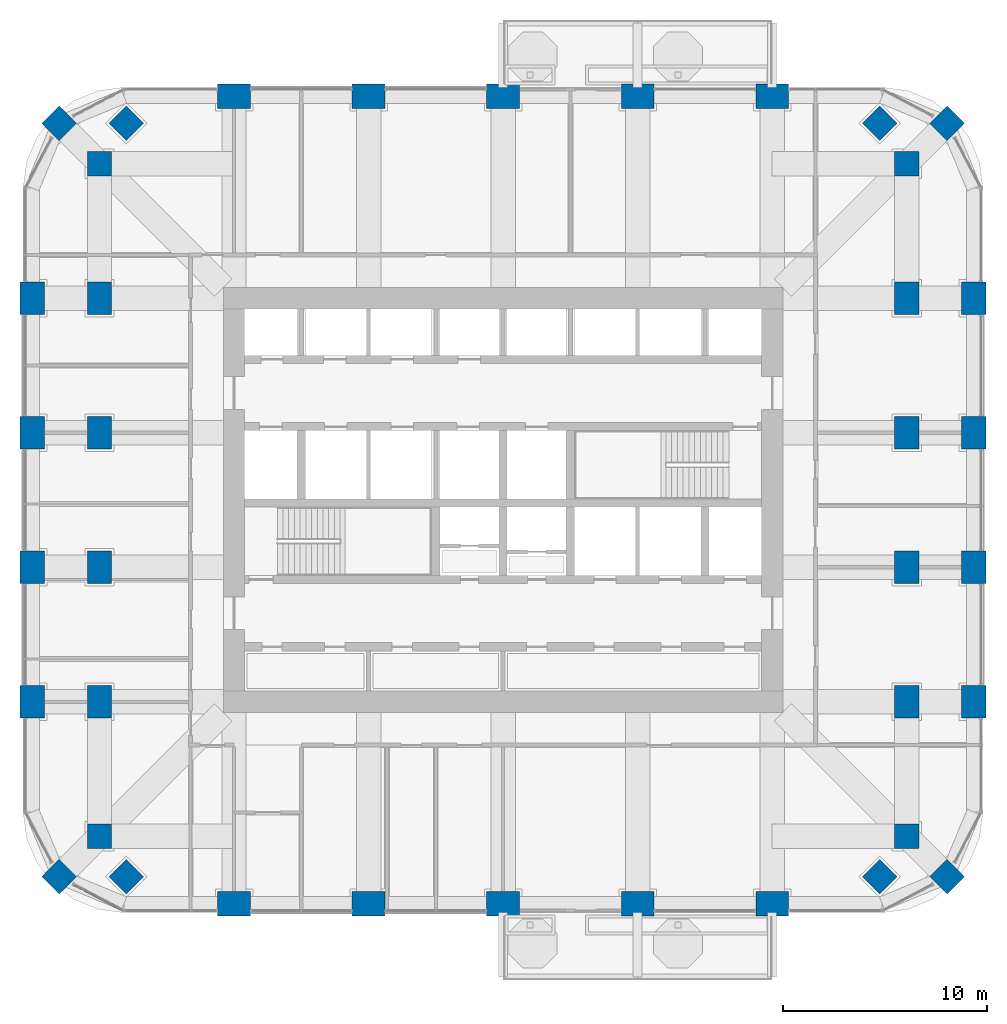
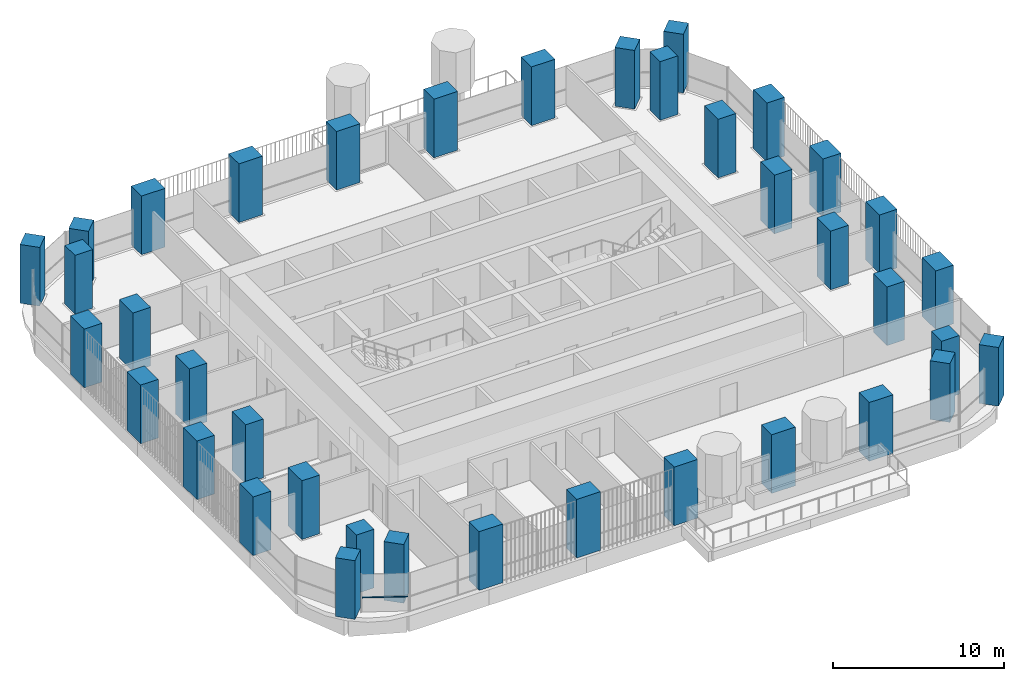
# One storey, part 1 of 19: 38 columns, 1 member, 1 element without a shape of its own.
"""IFC4 building model written with IfcOpenShell, lengths in metres."""

from ifc_helpers import new_model, si_unit, direction, frame, origin, origin_2d, place, context, subcontext, project, spatial, rectangle, extrude, material, material_profile, profile_set, type_object, element, aggregate, save


model = new_model("IFC4")

# Units and contexts
model_context = context("Model", 3, precision=1e-05, world=origin(), true_north=direction((0.0, 1.0)))
body_context = subcontext(model_context, "Body", "Model", "MODEL_VIEW")
ifc_project = project(units=[si_unit("LENGTHUNIT", "METRE"), si_unit("AREAUNIT", "SQUARE_METRE"), si_unit("VOLUMEUNIT", "CUBIC_METRE"), si_unit("PLANEANGLEUNIT", "RADIAN"), si_unit("MASSUNIT", "GRAM", prefix="KILO")], contexts=[model_context])

# Site, building, storey
site_placement = place(None, origin())
site = spatial("IfcSite", under=ifc_project, at=site_placement, CompositionType="ELEMENT")
building_placement = place(site_placement, origin())
building = spatial("IfcBuilding", under=site, at=building_placement, Name="Cobogo Forest Laboratory Tower", CompositionType="ELEMENT")
storey_placement = place(building_placement, frame((0.0, 0.0, 164.10009765625)))
storey = spatial("IfcBuildingStorey", under=building, at=storey_placement, Name="L37", CompositionType="ELEMENT", Elevation=164.10009765625)

# Columns
ifc_material_1 = material(Name="Concrete HA-50 (C50/60)", Category="concrete")
ifc_material_profile_1 = material_profile(ifc_material_1, rectangle(XDim=1.60009765625, YDim=1.199951171875, at=origin_2d()), Name="RC 1200x1600")
ifc_profile_set_1 = profile_set([ifc_material_profile_1], Name="Concrete HA-50 (C50/60)")
column_type_1 = type_object("IfcColumnType", Name="Blade column 1200x1600", PredefinedType="COLUMN", material=ifc_profile_set_1)
for number, where, z_axis, x_axis, name in (
    (1, (13.199951171875, 3.300048828125, 0.0), (0.0, 0.0, 1.0), (1.0, 0.0, 0.0), "Column 3-A.1 L37"),
    (2, (19.800048828125, 3.300048828125, 0.0), (0.0, 0.0, 1.0), (1.0, 0.0, 0.0), "Column 4-A.1 L37"),
    (3, (26.39990234375, 3.300048828125, 0.0), (0.0, 0.0, 1.0), (1.0, 0.0, 0.0), "Column 5-A.1 L37"),
    (4, (33.0, 3.300048828125, 0.0), (0.0, 0.0, 1.0), (1.0, 0.0, 0.0), "Column 6-A.1 L37"),
    (5, (39.60009765625, 3.300048828125, 0.0), (0.0, 0.0, 1.0), (1.0, 0.0, 0.0), "Column 7-A.1 L37"),
    (6, (3.300048828125, 13.199951171875, 0.0), (0.0, 0.0, 1.0), (0.0, 1.0, 0.0), "Column 1.1-C L37"),
    (7, (49.5, 13.199951171875, 0.0), (0.0, 0.0, 1.0), (0.0, 1.0, 0.0), "Column 8.1-C L37"),
    (8, (3.300048828125, 19.800048828125, 0.0), (0.0, 0.0, 1.0), (0.0, 1.0, 0.0), "Column 1.1-D L37"),
    (9, (49.5, 19.800048828125, 0.0), (0.0, 0.0, 1.0), (0.0, 1.0, 0.0), "Column 8.1-D L37"),
    (10, (3.300048828125, 26.39990234375, 0.0), (0.0, 0.0, 1.0), (0.0, 1.0, 0.0), "Column 1.1-E L37"),
    (11, (49.5, 26.39990234375, 0.0), (0.0, 0.0, 1.0), (0.0, 1.0, 0.0), "Column 8.1-E L37"),
    (12, (3.300048828125, 33.0, 0.0), (0.0, 0.0, 1.0), (0.0, 1.0, 0.0), "Column 1.1-F L37"),
    (13, (49.5, 33.0, 0.0), (0.0, 0.0, 1.0), (0.0, 1.0, 0.0), "Column 8.1-F L37"),
    (14, (13.199951171875, 42.89990234375, 0.0), (0.0, 0.0, 1.0), (1.0, 0.0, 0.0), "Column 3-G.1 L37"),
    (15, (19.800048828125, 42.89990234375, 0.0), (0.0, 0.0, 1.0), (1.0, 0.0, 0.0), "Column 4-G.1 L37"),
    (16, (26.39990234375, 42.89990234375, 0.0), (0.0, 0.0, 1.0), (1.0, 0.0, 0.0), "Column 5-G.1 L37"),
    (17, (33.0, 42.89990234375, 0.0), (0.0, 0.0, 1.0), (1.0, 0.0, 0.0), "Column 6-G.1 L37"),
    (18, (39.60009765625, 42.89990234375, 0.0), (0.0, 0.0, 1.0), (1.0, 0.0, 0.0), "Column 7-G.1 L37"),
    (19, (6.60009765625, 13.199951171875, 0.0), (0.0, 0.0, 1.0), (0.0, 1.0, 0.0), "Column 2-C-D L37"),
    (20, (46.199951171875, 13.199951171875, 0.0), (0.0, 0.0, 1.0), (0.0, 1.0, 0.0), "Column 8-C-D L37"),
    (21, (6.60009765625, 19.800048828125, 0.0), (0.0, 0.0, 1.0), (0.0, 1.0, 0.0), "Column 2-D-D L37"),
    (22, (46.199951171875, 19.800048828125, 0.0), (0.0, 0.0, 1.0), (0.0, 1.0, 0.0), "Column 8-D-D L37"),
    (23, (6.60009765625, 26.39990234375, 0.0), (0.0, 0.0, 1.0), (0.0, 1.0, 0.0), "Column 2-E-D L37"),
    (24, (46.199951171875, 26.39990234375, 0.0), (0.0, 0.0, 1.0), (0.0, 1.0, 0.0), "Column 8-E-D L37"),
    (25, (6.60009765625, 33.0, 0.0), (0.0, 0.0, 1.0), (0.0, 1.0, 0.0), "Column 2-F-D L37"),
    (26, (46.199951171875, 33.0, 0.0), (0.0, 0.0, 1.0), (0.0, 1.0, 0.0), "Column 8-F-D L37"),
):
    element("IfcColumn", number, at=place(storey_placement, frame(where, z_axis=z_axis, x_axis=x_axis)), inside=storey, type_object=column_type_1, Name=name, PredefinedType="COLUMN", context=body_context, shape_type="SweptSolid", body=[
        extrude(rectangle(XDim=1.60009765625, YDim=1.199951171875, at=origin_2d()), origin(), (0.0, 0.0, 1.0), 4.199951171875),
    ])
ifc_material_profile_2 = material_profile(ifc_material_1, rectangle(XDim=1.199951171875, YDim=1.199951171875, at=origin_2d()), Name="RC 1200x1200")
ifc_profile_set_2 = profile_set([ifc_material_profile_2], Name="Concrete HA-50 (C50/60)")
column_type_2 = type_object("IfcColumnType", Name="Column 1200x1200", PredefinedType="COLUMN", material=ifc_profile_set_2)
for number, where, z_axis, x_axis, name in (
    (27, (4.617919921875, 4.617919921875, 0.0), (0.0, 0.0, 1.0), (0.707106781187, 0.707106781187, 0.0), "Column CNR-SW L37"),
    (28, (48.181884765625, 4.617919921875, 0.0), (0.0, 0.0, 1.0), (0.707106781187, 0.707106781187, 0.0), "Column CNR-SE L37"),
    (29, (4.617919921875, 41.58203125, 0.0), (0.0, 0.0, 1.0), (0.707106781187, 0.707106781187, 0.0), "Column CNR-NW L37"),
    (30, (48.181884765625, 41.58203125, 0.0), (0.0, 0.0, 1.0), (0.707106781187, 0.707106781187, 0.0), "Column CNR-NE L37"),
    (31, (6.60009765625, 6.60009765625, 0.0), (0.0, 0.0, 1.0), (1.0, 0.0, 0.0), "Column 2-B L37"),
    (32, (46.199951171875, 6.60009765625, 0.0), (0.0, 0.0, 1.0), (1.0, 0.0, 0.0), "Column 8-B L37"),
    (33, (6.60009765625, 39.60009765625, 0.0), (0.0, 0.0, 1.0), (1.0, 0.0, 0.0), "Column 2-G L37"),
    (34, (46.199951171875, 39.60009765625, 0.0), (0.0, 0.0, 1.0), (1.0, 0.0, 0.0), "Column 8-G L37"),
    (35, (7.91796875, 4.617919921875, 0.0), (0.0, 0.0, 1.0), (0.707106781187, 0.707106781187, 0.0), "Column CNR-SW-D L37"),
    (36, (44.882080078125, 4.617919921875, 0.0), (0.0, 0.0, 1.0), (0.707106781187, 0.707106781187, 0.0), "Column CNR-SE-D L37"),
    (37, (7.91796875, 41.58203125, 0.0), (0.0, 0.0, 1.0), (0.707106781187, 0.707106781187, 0.0), "Column CNR-NW-D L37"),
    (38, (44.882080078125, 41.58203125, 0.0), (0.0, 0.0, 1.0), (0.707106781187, 0.707106781187, 0.0), "Column CNR-NE-D L37"),
):
    element("IfcColumn", number, at=place(storey_placement, frame(where, z_axis=z_axis, x_axis=x_axis)), inside=storey, type_object=column_type_2, Name=name, PredefinedType="COLUMN", context=body_context, shape_type="SweptSolid", body=[
        extrude(rectangle(XDim=1.199951171875, YDim=1.199951171875, at=origin_2d()), origin(), (0.0, 0.0, 1.0), 4.199951171875),
    ])

# Curtain wall, member
ifc_material_2 = material(Name="Aluminium curtain wall", Category="aluminium")
curtain_wall_type = type_object("IfcCurtainWallType", Name="CW-2 unitised curtain wall, solar control glazing, laboratory floors zones C and D", PredefinedType="USERDEFINED", material=ifc_material_2)
curtain_wall_placement = place(storey_placement, origin())
curtain_wall = element("IfcCurtainWall", 39, at=curtain_wall_placement, inside=storey, type_object=curtain_wall_type, Name="Curtain wall 30 L37", ObjectType="UNITISED CURTAIN WALL", PredefinedType="USERDEFINED")
ifc_material_3 = material(Name="Aluminium transom", Category="aluminium")
ifc_material_profile_3 = material_profile(ifc_material_3, rectangle(XDim=0.1201171875, YDim=0.06005859375, at=origin_2d()), Name="AL 60x120")
ifc_profile_set_3 = profile_set([ifc_material_profile_3], Name="Aluminium transom")
member_type = type_object("IfcMemberType", Name="TR-1 aluminium transom 60x120", PredefinedType="USERDEFINED", material=ifc_profile_set_3)
member_placement = place(storey_placement, frame((5.348388671875, 4.235107421875, 1.0498046875), z_axis=(0.885679732847, -0.464296684055, 0.0), x_axis=(0.464296684055, 0.885679732847, 0.0)))
member = element("IfcMember", 40, at=member_placement, type_object=member_type, Name="CW-2 transom 1.1", ObjectType="TRANSOM", PredefinedType="USERDEFINED", context=body_context, shape_type="SweptSolid", body=[
    extrude(rectangle(XDim=0.1201171875, YDim=0.06005859375, at=origin_2d()), origin(), (0.0, 0.0, 1.0), 2.7080078125),
])
aggregate(curtain_wall, [member])

save(model, "model.ifc")
